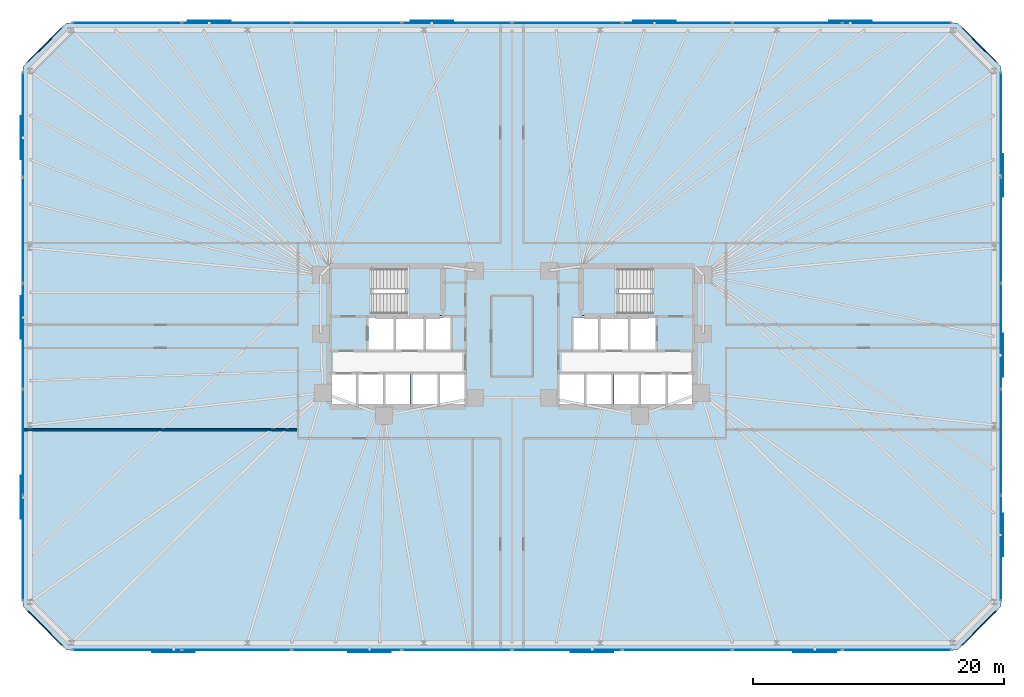
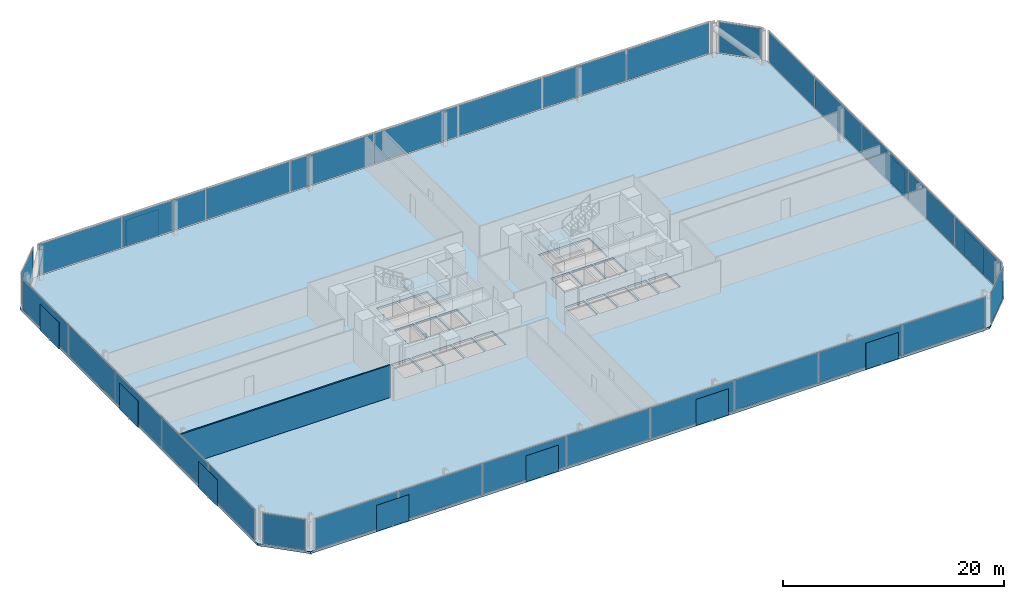
# One storey, part 11 of 16: 44 plates, 3 slabs, 1 wall, 10 elements without a shape of their own.
"""IFC4 building model written with IfcOpenShell, lengths in metres."""

from ifc_helpers import new_model, si_unit, direction, frame, frame_2d, origin, origin_2d, place, context, subcontext, project, spatial, polyline, rectangle, outline, extrude, material, layer, layer_set, type_object, element, aggregate, save


model = new_model("IFC4")

# Units and contexts
model_context = context("Model", 3, precision=1e-05, world=origin(), true_north=direction((0.0, 1.0)))
body_context = subcontext(model_context, "Body", "Model", "MODEL_VIEW")
ifc_project = project(units=[si_unit("LENGTHUNIT", "METRE"), si_unit("AREAUNIT", "SQUARE_METRE"), si_unit("VOLUMEUNIT", "CUBIC_METRE"), si_unit("PLANEANGLEUNIT", "RADIAN"), si_unit("MASSUNIT", "GRAM", prefix="KILO")], contexts=[model_context])

# Site, building, storey
site_placement = place(None, origin())
site = spatial("IfcSite", under=ifc_project, at=site_placement, CompositionType="ELEMENT")
building_placement = place(site_placement, origin())
building = spatial("IfcBuilding", under=site, at=building_placement, Name="Menara Jurai Vektor", CompositionType="ELEMENT")
storey_placement = place(building_placement, frame((0.0, 0.0, 14.199951171875)))
storey = spatial("IfcBuildingStorey", under=building, at=storey_placement, Name="L02", CompositionType="ELEMENT", Elevation=14.199951171875)

# Curtain wall, plates
ifc_material_1 = material(Name="Anodised Pale Aluminium & Low-E Double Glazing", Category="aluminium")
curtain_wall_type = type_object("IfcCurtainWallType", Name="CW-BLK1", PredefinedType="NOTDEFINED", material=ifc_material_1)
curtain_wall_1_placement = place(storey_placement, origin())
curtain_wall_1 = element("IfcCurtainWall", 1, at=curtain_wall_1_placement, inside=storey, type_object=curtain_wall_type, Name="Unitised Curtain Wall L02 F01", PredefinedType="NOTDEFINED")
ifc_material_2 = material(Name="Low-E Solar-Control Double Glazed Unit", Category="glass")
ifc_layer_1 = layer(ifc_material_2, 0.035888671875)
ifc_layer_set_1 = layer_set([ifc_layer_1], Name="Low-E Solar-Control Double Glazed Unit")
plate_type_1 = type_object("IfcPlateType", Name="CW-BLK1-PNL", PredefinedType="CURTAIN_PANEL", material=ifc_layer_set_1)
plate_1_placement = place(storey_placement, frame((-30.706298828125, -25.0, 0.09521484375), z_axis=(0.0, 0.0, 1.0), x_axis=(1.0, 0.0, 0.0)))
plate_1 = element("IfcPlate", 2, at=plate_1_placement, type_object=plate_type_1, Name="CW-01 panel 1.1", PredefinedType="CURTAIN_PANEL", context=body_context, shape_type="SweptSolid", body=[
    extrude(rectangle(XDim=8.637451171875, YDim=0.035888671875, at=origin_2d()), origin(), (0.0, 0.0, 1.0), 3.385009765625),
])
plate_2_placement = place(storey_placement, frame((-21.949951171875, -25.0, 0.09521484375), z_axis=(0.0, 0.0, 1.0), x_axis=(1.0, 0.0, 0.0)))
plate_2 = element("IfcPlate", 3, at=plate_2_placement, type_object=plate_type_1, Name="CW-01 panel 2.1", PredefinedType="CURTAIN_PANEL", context=body_context, shape_type="SweptSolid", body=[
    extrude(rectangle(XDim=8.68505859375, YDim=0.035888671875, at=origin_2d()), origin(), (0.0, 0.0, 1.0), 3.385009765625),
])
plate_3_placement = place(storey_placement, frame((-13.169921875, -25.0, 0.09521484375), z_axis=(0.0, 0.0, 1.0), x_axis=(1.0, 0.0, 0.0)))
plate_3 = element("IfcPlate", 4, at=plate_3_placement, type_object=plate_type_1, Name="CW-01 panel 3.1", PredefinedType="CURTAIN_PANEL", context=body_context, shape_type="SweptSolid", body=[
    extrude(rectangle(XDim=8.68505859375, YDim=0.035888671875, at=origin_2d()), origin(), (0.0, 0.0, 1.0), 3.385009765625),
])
plate_4_placement = place(storey_placement, frame((-4.389892578125, -25.0, 0.09521484375), z_axis=(0.0, 0.0, 1.0), x_axis=(1.0, 0.0, 0.0)))
plate_4 = element("IfcPlate", 5, at=plate_4_placement, type_object=plate_type_1, Name="CW-01 panel 4.1", PredefinedType="CURTAIN_PANEL", context=body_context, shape_type="SweptSolid", body=[
    extrude(rectangle(XDim=8.68505859375, YDim=0.035888671875, at=origin_2d()), origin(), (0.0, 0.0, 1.0), 3.385009765625),
])
plate_5_placement = place(storey_placement, frame((4.389892578125, -25.0, 0.09521484375), z_axis=(0.0, 0.0, 1.0), x_axis=(1.0, 0.0, 0.0)))
plate_5 = element("IfcPlate", 6, at=plate_5_placement, type_object=plate_type_1, Name="CW-01 panel 5.1", PredefinedType="CURTAIN_PANEL", context=body_context, shape_type="SweptSolid", body=[
    extrude(rectangle(XDim=8.68505859375, YDim=0.035888671875, at=origin_2d()), origin(), (0.0, 0.0, 1.0), 3.385009765625),
])
plate_6_placement = place(storey_placement, frame((13.169921875, -25.0, 0.09521484375), z_axis=(0.0, 0.0, 1.0), x_axis=(1.0, 0.0, 0.0)))
plate_6 = element("IfcPlate", 7, at=plate_6_placement, type_object=plate_type_1, Name="CW-01 panel 6.1", PredefinedType="CURTAIN_PANEL", context=body_context, shape_type="SweptSolid", body=[
    extrude(rectangle(XDim=8.68505859375, YDim=0.035888671875, at=origin_2d()), origin(), (0.0, 0.0, 1.0), 3.385009765625),
])
plate_7_placement = place(storey_placement, frame((21.949951171875, -25.0, 0.09521484375), z_axis=(0.0, 0.0, 1.0), x_axis=(1.0, 0.0, 0.0)))
plate_7 = element("IfcPlate", 8, at=plate_7_placement, type_object=plate_type_1, Name="CW-01 panel 7.1", PredefinedType="CURTAIN_PANEL", context=body_context, shape_type="SweptSolid", body=[
    extrude(rectangle(XDim=8.68505859375, YDim=0.035888671875, at=origin_2d()), origin(), (0.0, 0.0, 1.0), 3.385009765625),
])
plate_8_placement = place(storey_placement, frame((30.706298828125, -25.0, 0.09521484375), z_axis=(0.0, 0.0, 1.0), x_axis=(1.0, 0.0, 0.0)))
plate_8 = element("IfcPlate", 9, at=plate_8_placement, type_object=plate_type_1, Name="CW-01 panel 8.1", PredefinedType="CURTAIN_PANEL", context=body_context, shape_type="SweptSolid", body=[
    extrude(rectangle(XDim=8.637451171875, YDim=0.035888671875, at=origin_2d()), origin(), (0.0, 0.0, 1.0), 3.385009765625),
])
aggregate(curtain_wall_1, [plate_1, plate_2, plate_3, plate_4, plate_5, plate_6, plate_7, plate_8])

curtain_wall_2_placement = place(storey_placement, origin())
curtain_wall_2 = element("IfcCurtainWall", 10, at=curtain_wall_2_placement, inside=storey, type_object=curtain_wall_type, Name="Unitised Curtain Wall L02 F03", PredefinedType="NOTDEFINED")
plate_9_placement = place(storey_placement, frame((39.0, -16.872314453125, 0.09521484375), z_axis=(0.0, 0.0, 1.0), x_axis=(0.0, 1.0, 0.0)))
plate_9 = element("IfcPlate", 11, at=plate_9_placement, type_object=plate_type_1, Name="CW-01 panel 1.1", PredefinedType="CURTAIN_PANEL", context=body_context, shape_type="SweptSolid", body=[
    extrude(rectangle(XDim=8.305419921875, YDim=0.035888671875, at=origin_2d()), origin(), (0.0, 0.0, 1.0), 3.385009765625),
])
plate_10_placement = place(storey_placement, frame((39.0, -8.447998046875, 0.09521484375), z_axis=(0.0, 0.0, 1.0), x_axis=(0.0, 1.0, 0.0)))
plate_10 = element("IfcPlate", 12, at=plate_10_placement, type_object=plate_type_1, Name="CW-01 panel 2.1", PredefinedType="CURTAIN_PANEL", context=body_context, shape_type="SweptSolid", body=[
    extrude(rectangle(XDim=8.35302734375, YDim=0.035888671875, at=origin_2d()), origin(), (0.0, 0.0, 1.0), 3.385009765625),
])
plate_11_placement = place(storey_placement, frame((39.0, 0.0, 0.09521484375), z_axis=(0.0, 0.0, 1.0), x_axis=(0.0, 1.0, 0.0)))
plate_11 = element("IfcPlate", 13, at=plate_11_placement, type_object=plate_type_1, Name="CW-01 panel 3.1", PredefinedType="CURTAIN_PANEL", context=body_context, shape_type="SweptSolid", body=[
    extrude(rectangle(XDim=8.35302734375, YDim=0.035888671875, at=origin_2d()), origin(), (0.0, 0.0, 1.0), 3.385009765625),
])
plate_12_placement = place(storey_placement, frame((39.0, 8.447998046875, 0.09521484375), z_axis=(0.0, 0.0, 1.0), x_axis=(0.0, 1.0, 0.0)))
plate_12 = element("IfcPlate", 14, at=plate_12_placement, type_object=plate_type_1, Name="CW-01 panel 4.1", PredefinedType="CURTAIN_PANEL", context=body_context, shape_type="SweptSolid", body=[
    extrude(rectangle(XDim=8.35302734375, YDim=0.035888671875, at=origin_2d()), origin(), (0.0, 0.0, 1.0), 3.385009765625),
])
plate_13_placement = place(storey_placement, frame((39.0, 16.872314453125, 0.09521484375), z_axis=(0.0, 0.0, 1.0), x_axis=(0.0, 1.0, 0.0)))
plate_13 = element("IfcPlate", 15, at=plate_13_placement, type_object=plate_type_1, Name="CW-01 panel 5.1", PredefinedType="CURTAIN_PANEL", context=body_context, shape_type="SweptSolid", body=[
    extrude(rectangle(XDim=8.305419921875, YDim=0.035888671875, at=origin_2d()), origin(), (0.0, 0.0, 1.0), 3.385009765625),
])
aggregate(curtain_wall_2, [plate_9, plate_10, plate_11, plate_12, plate_13])

curtain_wall_3_placement = place(storey_placement, origin())
curtain_wall_3 = element("IfcCurtainWall", 16, at=curtain_wall_3_placement, inside=storey, type_object=curtain_wall_type, Name="Unitised Curtain Wall L02 F05", PredefinedType="NOTDEFINED")
plate_14_placement = place(storey_placement, frame((30.706298828125, 25.0, 0.09521484375), z_axis=(0.0, 0.0, 1.0), x_axis=(-1.0, 0.0, 0.0)))
plate_14 = element("IfcPlate", 17, at=plate_14_placement, type_object=plate_type_1, Name="CW-01 panel 1.1", PredefinedType="CURTAIN_PANEL", context=body_context, shape_type="SweptSolid", body=[
    extrude(rectangle(XDim=8.637451171875, YDim=0.035888671875, at=origin_2d()), origin(), (0.0, 0.0, 1.0), 3.385009765625),
])
plate_15_placement = place(storey_placement, frame((21.949951171875, 25.0, 0.09521484375), z_axis=(0.0, 0.0, 1.0), x_axis=(-1.0, 0.0, 0.0)))
plate_15 = element("IfcPlate", 18, at=plate_15_placement, type_object=plate_type_1, Name="CW-01 panel 2.1", PredefinedType="CURTAIN_PANEL", context=body_context, shape_type="SweptSolid", body=[
    extrude(rectangle(XDim=8.68505859375, YDim=0.035888671875, at=origin_2d()), origin(), (0.0, 0.0, 1.0), 3.385009765625),
])
plate_16_placement = place(storey_placement, frame((13.169921875, 25.0, 0.09521484375), z_axis=(0.0, 0.0, 1.0), x_axis=(-1.0, 0.0, 0.0)))
plate_16 = element("IfcPlate", 19, at=plate_16_placement, type_object=plate_type_1, Name="CW-01 panel 3.1", PredefinedType="CURTAIN_PANEL", context=body_context, shape_type="SweptSolid", body=[
    extrude(rectangle(XDim=8.68505859375, YDim=0.035888671875, at=origin_2d()), origin(), (0.0, 0.0, 1.0), 3.385009765625),
])
plate_17_placement = place(storey_placement, frame((4.389892578125, 25.0, 0.09521484375), z_axis=(0.0, 0.0, 1.0), x_axis=(-1.0, 0.0, 0.0)))
plate_17 = element("IfcPlate", 20, at=plate_17_placement, type_object=plate_type_1, Name="CW-01 panel 4.1", PredefinedType="CURTAIN_PANEL", context=body_context, shape_type="SweptSolid", body=[
    extrude(rectangle(XDim=8.68505859375, YDim=0.035888671875, at=origin_2d()), origin(), (0.0, 0.0, 1.0), 3.385009765625),
])
plate_18_placement = place(storey_placement, frame((-4.389892578125, 25.0, 0.09521484375), z_axis=(0.0, 0.0, 1.0), x_axis=(-1.0, 0.0, 0.0)))
plate_18 = element("IfcPlate", 21, at=plate_18_placement, type_object=plate_type_1, Name="CW-01 panel 5.1", PredefinedType="CURTAIN_PANEL", context=body_context, shape_type="SweptSolid", body=[
    extrude(rectangle(XDim=8.68505859375, YDim=0.035888671875, at=origin_2d()), origin(), (0.0, 0.0, 1.0), 3.385009765625),
])
plate_19_placement = place(storey_placement, frame((-13.169921875, 25.0, 0.09521484375), z_axis=(0.0, 0.0, 1.0), x_axis=(-1.0, 0.0, 0.0)))
plate_19 = element("IfcPlate", 22, at=plate_19_placement, type_object=plate_type_1, Name="CW-01 panel 6.1", PredefinedType="CURTAIN_PANEL", context=body_context, shape_type="SweptSolid", body=[
    extrude(rectangle(XDim=8.68505859375, YDim=0.035888671875, at=origin_2d()), origin(), (0.0, 0.0, 1.0), 3.385009765625),
])
plate_20_placement = place(storey_placement, frame((-21.949951171875, 25.0, 0.09521484375), z_axis=(0.0, 0.0, 1.0), x_axis=(-1.0, 0.0, 0.0)))
plate_20 = element("IfcPlate", 23, at=plate_20_placement, type_object=plate_type_1, Name="CW-01 panel 7.1", PredefinedType="CURTAIN_PANEL", context=body_context, shape_type="SweptSolid", body=[
    extrude(rectangle(XDim=8.68505859375, YDim=0.035888671875, at=origin_2d()), origin(), (0.0, 0.0, 1.0), 3.385009765625),
])
plate_21_placement = place(storey_placement, frame((-30.706298828125, 25.0, 0.09521484375), z_axis=(0.0, 0.0, 1.0), x_axis=(-1.0, 0.0, 0.0)))
plate_21 = element("IfcPlate", 24, at=plate_21_placement, type_object=plate_type_1, Name="CW-01 panel 8.1", PredefinedType="CURTAIN_PANEL", context=body_context, shape_type="SweptSolid", body=[
    extrude(rectangle(XDim=8.637451171875, YDim=0.035888671875, at=origin_2d()), origin(), (0.0, 0.0, 1.0), 3.385009765625),
])
aggregate(curtain_wall_3, [plate_14, plate_15, plate_16, plate_17, plate_18, plate_19, plate_20, plate_21])

curtain_wall_4_placement = place(storey_placement, origin())
curtain_wall_4 = element("IfcCurtainWall", 25, at=curtain_wall_4_placement, inside=storey, type_object=curtain_wall_type, Name="Unitised Curtain Wall L02 F07", PredefinedType="NOTDEFINED")
plate_22_placement = place(storey_placement, frame((-39.0, 16.872314453125, 0.09521484375), z_axis=(0.0, 0.0, 1.0), x_axis=(0.0, -1.0, 0.0)))
plate_22 = element("IfcPlate", 26, at=plate_22_placement, type_object=plate_type_1, Name="CW-01 panel 1.1", PredefinedType="CURTAIN_PANEL", context=body_context, shape_type="SweptSolid", body=[
    extrude(rectangle(XDim=8.305419921875, YDim=0.035888671875, at=origin_2d()), origin(), (0.0, 0.0, 1.0), 3.385009765625),
])
plate_23_placement = place(storey_placement, frame((-39.0, 8.447998046875, 0.09521484375), z_axis=(0.0, 0.0, 1.0), x_axis=(0.0, -1.0, 0.0)))
plate_23 = element("IfcPlate", 27, at=plate_23_placement, type_object=plate_type_1, Name="CW-01 panel 2.1", PredefinedType="CURTAIN_PANEL", context=body_context, shape_type="SweptSolid", body=[
    extrude(rectangle(XDim=8.35302734375, YDim=0.035888671875, at=origin_2d()), origin(), (0.0, 0.0, 1.0), 3.385009765625),
])
plate_24_placement = place(storey_placement, frame((-39.0, 0.0, 0.09521484375), z_axis=(0.0, 0.0, 1.0), x_axis=(0.0, -1.0, 0.0)))
plate_24 = element("IfcPlate", 28, at=plate_24_placement, type_object=plate_type_1, Name="CW-01 panel 3.1", PredefinedType="CURTAIN_PANEL", context=body_context, shape_type="SweptSolid", body=[
    extrude(rectangle(XDim=8.35302734375, YDim=0.035888671875, at=origin_2d()), origin(), (0.0, 0.0, 1.0), 3.385009765625),
])
plate_25_placement = place(storey_placement, frame((-39.0, -8.447998046875, 0.09521484375), z_axis=(0.0, 0.0, 1.0), x_axis=(0.0, -1.0, 0.0)))
plate_25 = element("IfcPlate", 29, at=plate_25_placement, type_object=plate_type_1, Name="CW-01 panel 4.1", PredefinedType="CURTAIN_PANEL", context=body_context, shape_type="SweptSolid", body=[
    extrude(rectangle(XDim=8.35302734375, YDim=0.035888671875, at=origin_2d()), origin(), (0.0, 0.0, 1.0), 3.385009765625),
])
plate_26_placement = place(storey_placement, frame((-39.0, -16.872314453125, 0.09521484375), z_axis=(0.0, 0.0, 1.0), x_axis=(0.0, -1.0, 0.0)))
plate_26 = element("IfcPlate", 30, at=plate_26_placement, type_object=plate_type_1, Name="CW-01 panel 5.1", PredefinedType="CURTAIN_PANEL", context=body_context, shape_type="SweptSolid", body=[
    extrude(rectangle(XDim=8.305419921875, YDim=0.035888671875, at=origin_2d()), origin(), (0.0, 0.0, 1.0), 3.385009765625),
])
aggregate(curtain_wall_4, [plate_22, plate_23, plate_24, plate_25, plate_26])

# Curtain wall, plate
curtain_wall_5_placement = place(storey_placement, origin())
curtain_wall_5 = element("IfcCurtainWall", 31, at=curtain_wall_5_placement, inside=storey, type_object=curtain_wall_type, Name="Unitised Curtain Wall L02 F02", PredefinedType="NOTDEFINED")
ifc_material_3 = material(Name="Insulated Pale Aluminium Spandrel Panel", Category="aluminium")
ifc_layer_2 = layer(ifc_material_3, 0.06005859375)
ifc_layer_set_2 = layer_set([ifc_layer_2], Name="Insulated Pale Aluminium Spandrel Panel")
plate_type_2 = type_object("IfcPlateType", Name="CW-PNL-SP", PredefinedType="CURTAIN_PANEL", material=ifc_layer_set_2)
plate_27_placement = place(storey_placement, frame((37.25, -23.25, 0.09521484375), z_axis=(0.0, 0.0, 1.0), x_axis=(0.707106781187, 0.707106781187, 0.0)))
plate_27 = element("IfcPlate", 32, at=plate_27_placement, type_object=plate_type_2, Name="CW-01 panel 1.1", PredefinedType="CURTAIN_PANEL", context=body_context, shape_type="SweptSolid", body=[
    extrude(rectangle(XDim=3.999755859375, YDim=0.06005859375, at=origin_2d()), origin(), (0.0, 0.0, 1.0), 3.385009765625),
])
aggregate(curtain_wall_5, [plate_27])

curtain_wall_6_placement = place(storey_placement, origin())
curtain_wall_6 = element("IfcCurtainWall", 33, at=curtain_wall_6_placement, inside=storey, type_object=curtain_wall_type, Name="Unitised Curtain Wall L02 F04", PredefinedType="NOTDEFINED")
plate_28_placement = place(storey_placement, frame((37.25, 23.25, 0.09521484375), z_axis=(0.0, 0.0, 1.0), x_axis=(-0.707106781187, 0.707106781187, 0.0)))
plate_28 = element("IfcPlate", 34, at=plate_28_placement, type_object=plate_type_2, Name="CW-01 panel 1.1", PredefinedType="CURTAIN_PANEL", context=body_context, shape_type="SweptSolid", body=[
    extrude(rectangle(XDim=3.999755859375, YDim=0.06005859375, at=origin_2d()), origin(), (0.0, 0.0, 1.0), 3.385009765625),
])
aggregate(curtain_wall_6, [plate_28])

curtain_wall_7_placement = place(storey_placement, origin())
curtain_wall_7 = element("IfcCurtainWall", 35, at=curtain_wall_7_placement, inside=storey, type_object=curtain_wall_type, Name="Unitised Curtain Wall L02 F06", PredefinedType="NOTDEFINED")
plate_29_placement = place(storey_placement, frame((-37.25, 23.25, 0.09521484375), z_axis=(0.0, 0.0, 1.0), x_axis=(-0.707106781187, -0.707106781187, 0.0)))
plate_29 = element("IfcPlate", 36, at=plate_29_placement, type_object=plate_type_2, Name="CW-01 panel 1.1", PredefinedType="CURTAIN_PANEL", context=body_context, shape_type="SweptSolid", body=[
    extrude(rectangle(XDim=3.999755859375, YDim=0.06005859375, at=origin_2d()), origin(), (0.0, 0.0, 1.0), 3.385009765625),
])
aggregate(curtain_wall_7, [plate_29])

curtain_wall_8_placement = place(storey_placement, origin())
curtain_wall_8 = element("IfcCurtainWall", 37, at=curtain_wall_8_placement, inside=storey, type_object=curtain_wall_type, Name="Unitised Curtain Wall L02 F08", PredefinedType="NOTDEFINED")
plate_30_placement = place(storey_placement, frame((-37.25, -23.25, 0.09521484375), z_axis=(0.0, 0.0, 1.0), x_axis=(0.707106781187, -0.707106781187, 0.0)))
plate_30 = element("IfcPlate", 38, at=plate_30_placement, type_object=plate_type_2, Name="CW-01 panel 1.1", PredefinedType="CURTAIN_PANEL", context=body_context, shape_type="SweptSolid", body=[
    extrude(rectangle(XDim=3.999755859375, YDim=0.06005859375, at=origin_2d()), origin(), (0.0, 0.0, 1.0), 3.385009765625),
])
aggregate(curtain_wall_8, [plate_30])

# Plates
ifc_material_4 = material(Name="Anodised Pale Aluminium Perforated Screen", Category="aluminium")
ifc_layer_3 = layer(ifc_material_4, 0.02392578125)
ifc_layer_set_3 = layer_set([ifc_layer_3], Name="Anodised Pale Aluminium Perforated Screen")
plate_type_3 = type_object("IfcPlateType", Name="ENV-PLT-SCREEN", PredefinedType="USERDEFINED", material=ifc_layer_set_3)
for number, where, z_axis, x_axis, name in (
    (39, (-26.97998046875, -25.159912109375, -0.0498046875), (0.0, 0.0, 1.0), (1.0, 0.0, 0.0), "Perforated Pale-Metal Solar Screen L02-S01"),
    (40, (-11.360107421875, -25.159912109375, -0.0498046875), (0.0, 0.0, 1.0), (1.0, 0.0, 0.0), "Perforated Pale-Metal Solar Screen L02-S02"),
    (41, (6.389892578125, -25.159912109375, -0.0498046875), (0.0, 0.0, 1.0), (1.0, 0.0, 0.0), "Perforated Pale-Metal Solar Screen L02-S03"),
    (42, (24.139892578125, -25.159912109375, -0.0498046875), (0.0, 0.0, 1.0), (1.0, 0.0, 0.0), "Perforated Pale-Metal Solar Screen L02-S04"),
    (43, (39.159912109375, -15.83837890625, -0.0498046875), (0.0, 0.0, 1.0), (0.0, 1.0, 0.0), "Perforated Pale-Metal Solar Screen L02-S05"),
    (44, (39.159912109375, -1.5048828125, -0.0498046875), (0.0, 0.0, 1.0), (0.0, 1.0, 0.0), "Perforated Pale-Metal Solar Screen L02-S06"),
    (45, (39.159912109375, 12.828369140625, -0.0498046875), (0.0, 0.0, 1.0), (0.0, 1.0, 0.0), "Perforated Pale-Metal Solar Screen L02-S07"),
    (46, (26.97998046875, 25.159912109375, -0.0498046875), (0.0, 0.0, 1.0), (-1.0, 0.0, 0.0), "Perforated Pale-Metal Solar Screen L02-S08"),
    (47, (11.360107421875, 25.159912109375, -0.0498046875), (0.0, 0.0, 1.0), (-1.0, 0.0, 0.0), "Perforated Pale-Metal Solar Screen L02-S09"),
    (48, (-6.389892578125, 25.159912109375, -0.0498046875), (0.0, 0.0, 1.0), (-1.0, 0.0, 0.0), "Perforated Pale-Metal Solar Screen L02-S10"),
    (49, (-24.139892578125, 25.159912109375, -0.0498046875), (0.0, 0.0, 1.0), (-1.0, 0.0, 0.0), "Perforated Pale-Metal Solar Screen L02-S11"),
    (50, (-39.159912109375, 15.83837890625, -0.0498046875), (0.0, 0.0, 1.0), (0.0, -1.0, 0.0), "Perforated Pale-Metal Solar Screen L02-S12"),
    (51, (-39.159912109375, 1.5048828125, -0.0498046875), (0.0, 0.0, 1.0), (0.0, -1.0, 0.0), "Perforated Pale-Metal Solar Screen L02-S13"),
    (52, (-39.159912109375, -12.828369140625, -0.0498046875), (0.0, 0.0, 1.0), (0.0, -1.0, 0.0), "Perforated Pale-Metal Solar Screen L02-S14"),
):
    element("IfcPlate", number, at=place(storey_placement, frame(where, z_axis=z_axis, x_axis=x_axis)), inside=storey, type_object=plate_type_3, Name=name, ObjectType="SCREEN", PredefinedType="USERDEFINED", context=body_context, shape_type="SweptSolid", body=[
        extrude(rectangle(XDim=3.39990234375, YDim=0.02392578125, at=origin_2d()), origin(), (0.0, 0.0, 1.0), 2.89990234375),
    ])

# Stair, slab
ifc_material_5 = material(Name="Concrete C40/50", Category="concrete")
stair_type = type_object("IfcStairType", Name="STAIR-DOGLEG-1500", PredefinedType="HALF_TURN_STAIR", material=ifc_material_5)
stair_1_placement = place(storey_placement, origin())
stair_1 = element("IfcStair", 53, at=stair_1_placement, inside=storey, type_object=stair_type, Name="Protected Exit Stair ST1 L02", PredefinedType="HALF_TURN_STAIR")
ifc_layer_4 = layer(ifc_material_5, 0.199951171875)
ifc_layer_set_4 = layer_set([ifc_layer_4], Name="Concrete C40/50")
slab_type_1 = type_object("IfcSlabType", Name="STAIR-LANDING-200", PredefinedType="LANDING", material=ifc_layer_set_4)
slab_1_placement = place(storey_placement, frame((0.0, 0.0, 1.699951171875)))
slab_1 = element("IfcSlab", 54, at=slab_1_placement, type_object=slab_type_1, Name="ST1 landing 1", PredefinedType="LANDING", context=body_context, shape_type="SweptSolid", body=[
    extrude(outline(polyline([(-8.52001953125, 1.64990234375), (-5.550048828125, 1.64990234375), (-5.550048828125, 5.550048828125), (-8.52001953125, 5.550048828125), (-8.52001953125, 1.64990234375)])), origin(), (0.0, 0.0, 1.0), 0.2001953125),
])
aggregate(stair_1, [slab_1])

stair_2_placement = place(storey_placement, origin())
stair_2 = element("IfcStair", 55, at=stair_2_placement, inside=storey, type_object=stair_type, Name="Protected Exit Stair ST2 L02", PredefinedType="HALF_TURN_STAIR")
slab_2_placement = place(storey_placement, frame((0.0, 0.0, 1.699951171875)))
slab_2 = element("IfcSlab", 56, at=slab_2_placement, type_object=slab_type_1, Name="ST2 landing 1", PredefinedType="LANDING", context=body_context, shape_type="SweptSolid", body=[
    extrude(outline(polyline([(5.550048828125, 1.64990234375), (8.52001953125, 1.64990234375), (8.52001953125, 5.550048828125), (5.550048828125, 5.550048828125), (5.550048828125, 1.64990234375)])), origin(), (0.0, 0.0, 1.0), 0.2001953125),
])
aggregate(stair_2, [slab_2])

# Slab
ifc_layer_5 = layer(ifc_material_5, 0.22509765625)
ifc_layer_set_5 = layer_set([ifc_layer_5], Name="Concrete C40/50")
slab_type_2 = type_object("IfcSlabType", Name="STR-SLAB-TYP200", PredefinedType="FLOOR", material=ifc_layer_set_5)
slab_3_placement = place(storey_placement, frame((0.0, 0.0, -0.224853515625)))
element("IfcSlab", 57, at=slab_3_placement, inside=storey, type_object=slab_type_2, Name="Composite Floor Slab L02", PredefinedType="FLOOR", context=body_context, shape_type="SweptSolid", body=[
    extrude(outline(polyline([(-35.5, -25.0), (35.5, -25.0), (39.0, -21.5), (39.0, 21.5), (35.5, 25.0), (-35.5, 25.0), (-39.0, 21.5), (-39.0, -21.5), (-35.5, -25.0)]), holes=[polyline([(-11.10009765625, 1.89990234375), (-11.10009765625, 5.300048828125), (-5.800048828125, 5.300048828125), (-5.800048828125, 1.89990234375), (-11.10009765625, 1.89990234375)]), polyline([(5.800048828125, 1.89990234375), (5.800048828125, 5.300048828125), (11.10009765625, 5.300048828125), (11.10009765625, 1.89990234375), (5.800048828125, 1.89990234375)]), polyline([(-11.449951171875, -1.050048828125), (-11.449951171875, 1.5), (-9.449951171875, 1.5), (-9.449951171875, -1.050048828125), (-11.449951171875, -1.050048828125)]), polyline([(9.449951171875, -1.050048828125), (9.449951171875, 1.5), (11.449951171875, 1.5), (11.449951171875, -1.050048828125), (9.449951171875, -1.050048828125)]), polyline([(-5.760009765625, -5.5), (-5.760009765625, -3.050048828125), (-3.800048828125, -3.050048828125), (-3.800048828125, -5.5), (-5.760009765625, -5.5)]), polyline([(-6.85009765625, -1.050048828125), (-6.85009765625, 1.5), (-4.889892578125, 1.5), (-4.889892578125, -1.050048828125), (-6.85009765625, -1.050048828125)]), polyline([(3.800048828125, -5.5), (3.800048828125, -3.050048828125), (5.760009765625, -3.050048828125), (5.760009765625, -5.5), (3.800048828125, -5.5)]), polyline([(4.889892578125, -1.050048828125), (4.889892578125, 1.5), (6.85009765625, 1.5), (6.85009765625, -1.050048828125), (4.889892578125, -1.050048828125)]), polyline([(-14.39990234375, -5.5), (-14.39990234375, -3.050048828125), (-12.43994140625, -3.050048828125), (-12.43994140625, -5.5), (-14.39990234375, -5.5)]), polyline([(-12.239990234375, -5.5), (-12.239990234375, -3.050048828125), (-10.280029296875, -3.050048828125), (-10.280029296875, -5.5), (-12.239990234375, -5.5)]), polyline([(10.280029296875, -5.5), (10.280029296875, -3.050048828125), (12.239990234375, -3.050048828125), (12.239990234375, -5.5), (10.280029296875, -5.5)]), polyline([(12.43994140625, -5.5), (12.43994140625, -3.050048828125), (14.39990234375, -3.050048828125), (14.39990234375, -5.5), (12.43994140625, -5.5)]), polyline([(-10.080078125, -5.5), (-10.080078125, -3.050048828125), (-8.1201171875, -3.050048828125), (-8.1201171875, -5.5), (-10.080078125, -5.5)]), polyline([(-7.919921875, -5.5), (-7.919921875, -3.050048828125), (-5.9599609375, -3.050048828125), (-5.9599609375, -5.5), (-7.919921875, -5.5)]), polyline([(5.9599609375, -5.5), (5.9599609375, -3.050048828125), (7.919921875, -3.050048828125), (7.919921875, -5.5), (5.9599609375, -5.5)]), polyline([(8.1201171875, -5.5), (8.1201171875, -3.050048828125), (10.080078125, -3.050048828125), (10.080078125, -5.5), (8.1201171875, -5.5)]), polyline([(-9.25, -1.050048828125), (-9.25, 1.5), (-7.050048828125, 1.5), (-7.050048828125, -1.050048828125), (-9.25, -1.050048828125)]), polyline([(7.050048828125, -1.050048828125), (7.050048828125, 1.5), (9.25, 1.5), (9.25, -1.050048828125), (7.050048828125, -1.050048828125)])]), origin(), (0.0, 0.0, 1.0), 0.224853515625),
])

# Wall
ifc_material_6 = material(Name="Gypsum Fireboard Partition", Category="gypsum")
ifc_layer_6 = layer(ifc_material_6, 0.14990234375)
ifc_layer_set_6 = layer_set([ifc_layer_6], Name="Gypsum Fireboard Partition")
wall_type = type_object("IfcWallType", Name="INT-WALL-CORR-150", PredefinedType="PARTITIONING", material=ifc_layer_set_6)
wall_placement = place(storey_placement, frame((-39.0, -7.449951171875, 0.0), z_axis=(0.0, 0.0, 1.0), x_axis=(1.0, 0.0, 0.0)))
element("IfcWall", 58, at=wall_placement, inside=storey, type_object=wall_type, Name="Interior Wall IW-150 L02", PredefinedType="PARTITIONING", context=body_context, shape_type="SweptSolid", body=[
    extrude(rectangle(XDim=21.94091796875, YDim=0.14990234375, at=frame_2d((10.970458984375, 0.0))), origin(), (0.0, 0.0, 1.0), 3.574951171875),
])

save(model, "model.ifc")
